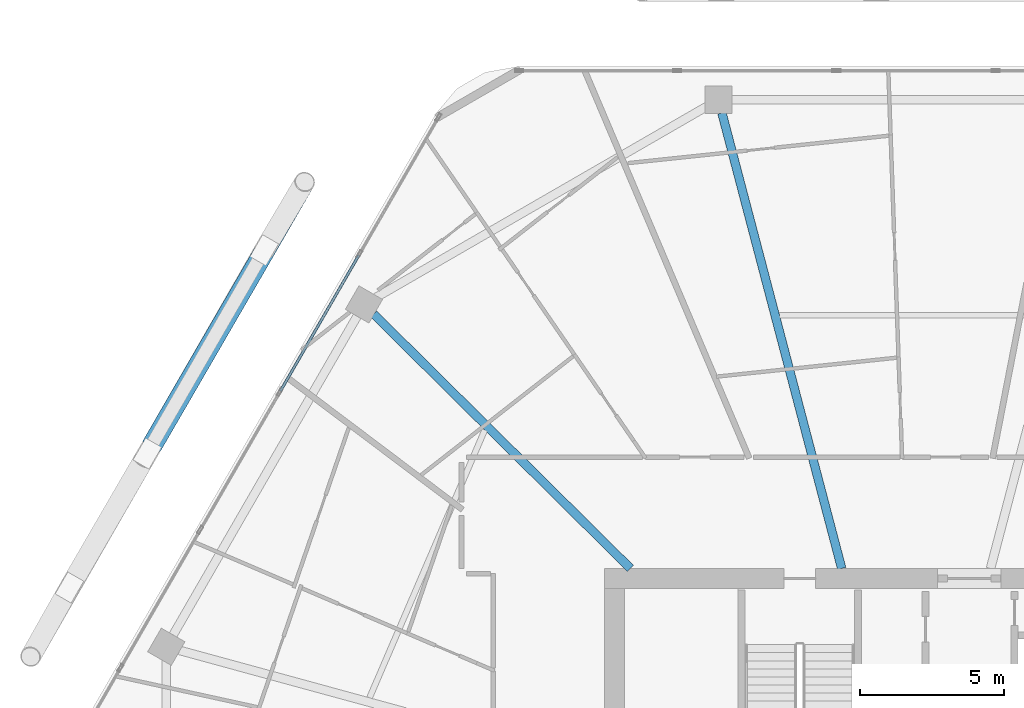
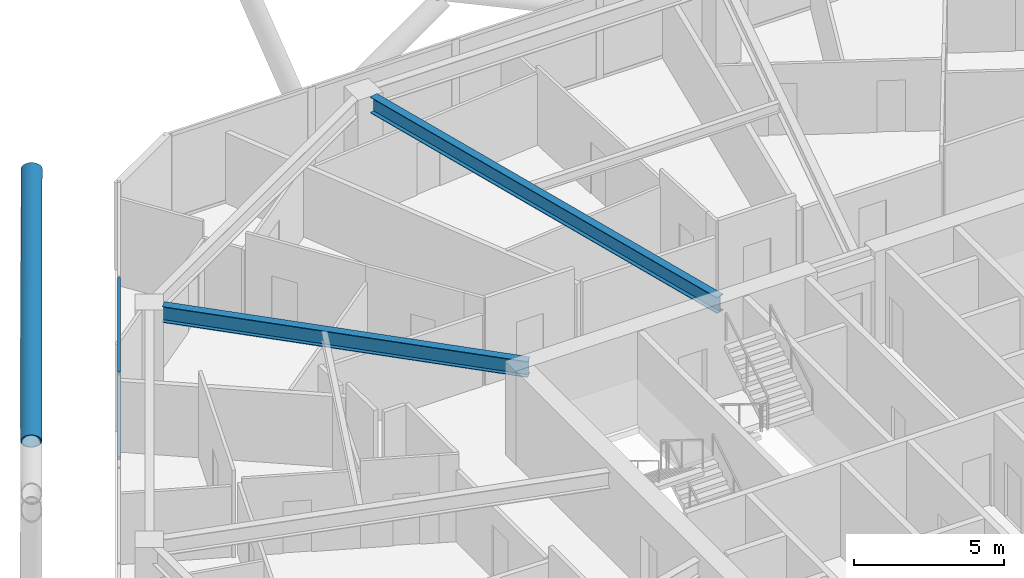
# One storey, part 12 of 27: 3 members, 2 beams, 1 element without a shape of its own.
"""IFC4 building model written with IfcOpenShell, lengths in metres."""

from ifc_helpers import new_model, si_unit, direction, frame, origin, origin_2d, place, context, subcontext, project, spatial, hollow_rectangle, hollow_circle, i_section, extrude, material, material_profile, profile_set, type_object, element, aggregate, save


model = new_model("IFC4")

# Units and contexts
model_context = context("Model", 3, precision=1e-05, world=origin(), true_north=direction((0.0, 1.0)))
body_context = subcontext(model_context, "Body", "Model", "MODEL_VIEW")
ifc_project = project(units=[si_unit("LENGTHUNIT", "METRE"), si_unit("AREAUNIT", "SQUARE_METRE"), si_unit("VOLUMEUNIT", "CUBIC_METRE"), si_unit("PLANEANGLEUNIT", "RADIAN"), si_unit("MASSUNIT", "GRAM", prefix="KILO")], contexts=[model_context])

# Site, building, storey
site_placement = place(None, origin())
site = spatial("IfcSite", under=ifc_project, at=site_placement, CompositionType="ELEMENT")
building_placement = place(site_placement, origin())
building = spatial("IfcBuilding", under=site, at=building_placement, Name="Zuhravey Tower", CompositionType="ELEMENT")
storey_placement = place(building_placement, frame((0.0, 0.0, 215.0)))
storey = spatial("IfcBuildingStorey", under=building, at=storey_placement, Name="L54", CompositionType="ELEMENT", Elevation=215.0)

# Curtain wall, members
ifc_material_1 = material(Name="Thermally broken anodised aluminium", Category="aluminium")
curtain_wall_type = type_object("IfcCurtainWallType", Name="Zone 1-2 Residential Curtain Wall CW3", PredefinedType="NOTDEFINED", material=ifc_material_1)
curtain_wall_placement = place(storey_placement, origin())
curtain_wall = element("IfcCurtainWall", 1, at=curtain_wall_placement, inside=storey, type_object=curtain_wall_type, Name="L54 CW3 CW-L54-F3-1", PredefinedType="NOTDEFINED")
ifc_material_2 = material(Name="Anodised aluminium", Category="aluminium")
ifc_material_profile_1 = material_profile(ifc_material_2, hollow_rectangle(XDim=0.090087890625, YDim=0.14990234375, WallThickness=0.0048828125, at=origin_2d()), Name="ALU-RHS-90x150x5")
ifc_profile_set_1 = profile_set([ifc_material_profile_1], Name="Anodised aluminium")
member_type_1 = type_object("IfcMemberType", Name="Curtain-Wall Transom 90x150", PredefinedType="USERDEFINED", material=ifc_profile_set_1)
member_1_placement = place(storey_placement, frame((13.867431640625, 48.03125, 0.044921875), z_axis=(0.49996138257, 0.86604769842, 0.0), x_axis=(-0.86604769842, 0.49996138257, 0.0)))
member_1 = element("IfcMember", 2, at=member_1_placement, type_object=member_type_1, Name="CW3 transom 4.1", ObjectType="TRANSOM", PredefinedType="USERDEFINED", context=body_context, shape_type="SweptSolid", body=[
    extrude(hollow_rectangle(XDim=0.090087890625, YDim=0.14990234375, WallThickness=0.0048828125, at=origin_2d()), origin(), (0.0, 0.0, 1.0), 5.45458984375),
])
member_2_placement = place(storey_placement, frame((13.867431640625, 48.03125, 3.5048828125), z_axis=(0.49996138257, 0.86604769842, 0.0), x_axis=(-0.86604769842, 0.49996138257, 0.0)))
member_2 = element("IfcMember", 3, at=member_2_placement, type_object=member_type_1, Name="CW3 transom 4.2", ObjectType="TRANSOM", PredefinedType="USERDEFINED", context=body_context, shape_type="SweptSolid", body=[
    extrude(hollow_rectangle(XDim=0.090087890625, YDim=0.14990234375, WallThickness=0.0048828125, at=origin_2d()), origin(), (0.0, 0.0, 1.0), 5.45458984375),
])
aggregate(curtain_wall, [member_1, member_2])

# Member
ifc_material_3 = material(Name="Steel SM460", Category="steel")
ifc_material_profile_2 = material_profile(ifc_material_3, hollow_circle(Radius=0.355712890625, WallThickness=0.031982421875, at=origin_2d()), Name="CHS-711.2x32")
ifc_profile_set_2 = profile_set([ifc_material_profile_2], Name="Steel SM460")
member_type_2 = type_object("IfcMemberType", Name="Exoskeleton Zone 2 Diagrid CHS711x32", PredefinedType="BRACE", material=ifc_profile_set_2)
member_3_placement = place(storey_placement, frame((9.395751953125, 46.13525390625, 3.449462890625), z_axis=(0.473440135815, 0.817458756162, 0.328048197333), x_axis=(-0.86534615854, 0.501174646107, 0.0)))
element("IfcMember", 4, at=member_3_placement, inside=storey, type_object=member_type_2, Name="L54 Face 3 Split Diagrid Brace 3B", PredefinedType="BRACE", context=body_context, shape_type="SweptSolid", body=[
    extrude(hollow_circle(Radius=0.355712890625, WallThickness=0.031982421875, at=origin_2d()), origin(), (0.0, 0.0, 1.0), 11.190185546875),
])

# Beams
ifc_material_4 = material(Name="Steel SM355", Category="steel")
ifc_material_profile_3 = material_profile(ifc_material_4, i_section(OverallWidth=0.300048828125, OverallDepth=0.64990234375, WebThickness=0.012939453125, FlangeThickness=0.02197265625, at=origin_2d()), Name="H-650x300x13x22")
ifc_profile_set_3 = profile_set([ifc_material_profile_3], Name="Steel SM355")
beam_type = type_object("IfcBeamType", Name="Radial Primary Girder H650x300", PredefinedType="BEAM", material=ifc_profile_set_3)
beam_1_placement = place(storey_placement, frame((33.4091796875, 41.85302734375, 3.22509765625), z_axis=(-0.254299806285, 0.967125435775, 0.0), x_axis=(-0.967125435775, -0.254299806285, 0.0)))
element("IfcBeam", 5, at=beam_1_placement, inside=storey, type_object=beam_type, Name="L54 RG2 BM-L54-RAD-04", PredefinedType="BEAM", context=body_context, shape_type="SweptSolid", body=[
    extrude(i_section(OverallWidth=0.300048828125, OverallDepth=0.64990234375, WebThickness=0.012939453125, FlangeThickness=0.02197265625, at=origin_2d()), origin(), (0.0, 0.0, 1.0), 16.396728515625),
])
beam_2_placement = place(storey_placement, frame((26.054443359375, 41.85302734375, 3.22509765625), z_axis=(-0.710406645816, 0.703791444663, 0.0), x_axis=(-0.703791444663, -0.710406645816, 0.0)))
element("IfcBeam", 6, at=beam_2_placement, inside=storey, type_object=beam_type, Name="L54 RG2 BM-L54-RAD-05", PredefinedType="BEAM", context=body_context, shape_type="SweptSolid", body=[
    extrude(i_section(OverallWidth=0.300048828125, OverallDepth=0.64990234375, WebThickness=0.012939453125, FlangeThickness=0.02197265625, at=origin_2d()), origin(), (0.0, 0.0, 1.0), 12.5849609375),
])

save(model, "model.ifc")
